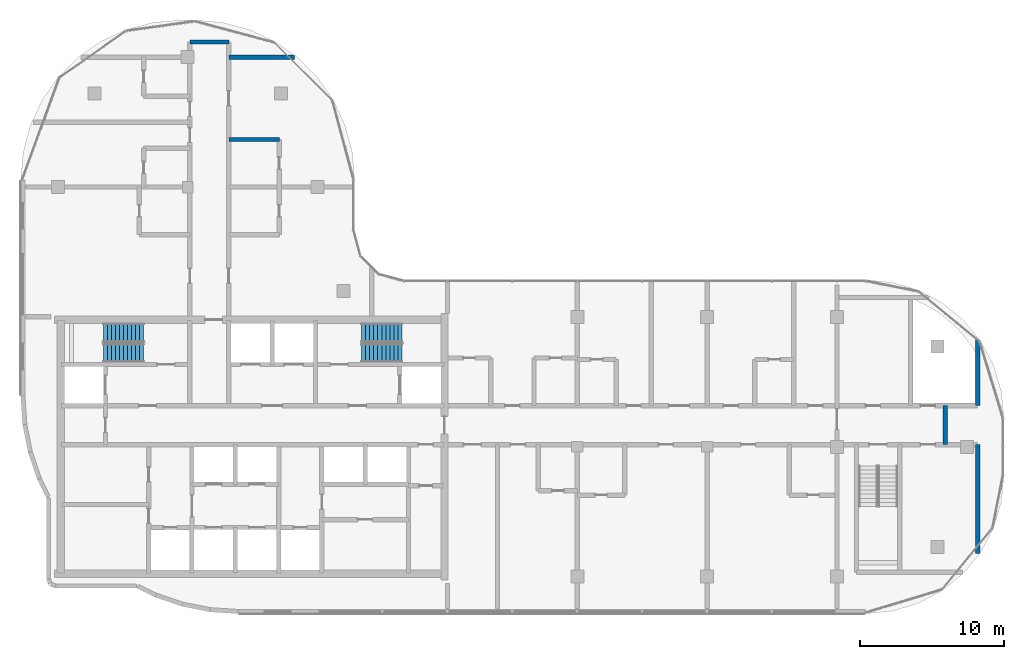
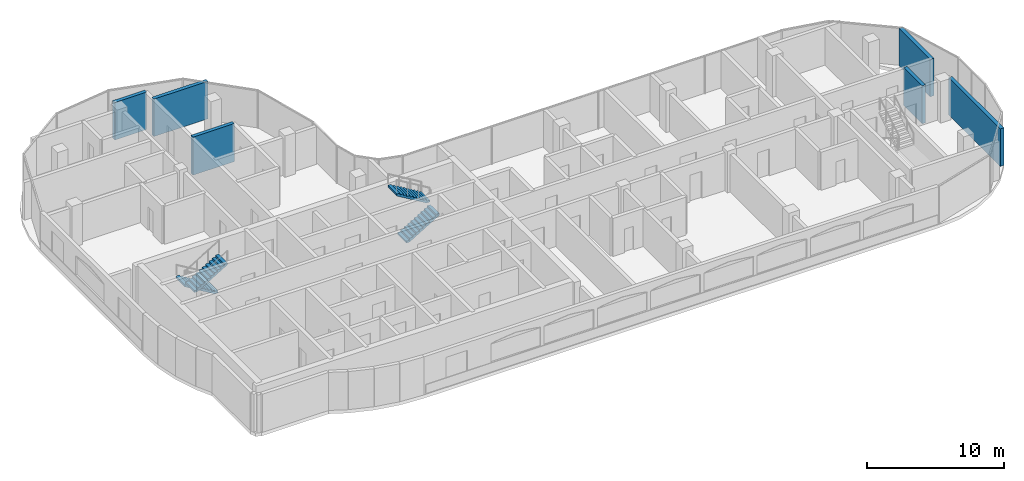
# One storey, part 13 of 18: 6 walls, 4 stair flights, 2 elements without a shape of their own.
"""IFC4 building model written with IfcOpenShell, lengths in metres."""

from ifc_helpers import new_model, si_unit, direction, frame, frame_2d, origin, place, context, subcontext, project, spatial, rectangle, extrude, triangles, source, transform, mapped, material, layer, layer_set, type_object, element, aggregate, save


model = new_model("IFC4")

# Units and contexts
model_context = context("Model", 3, precision=1e-05, world=origin(), true_north=direction((0.0, 1.0)))
body_context = subcontext(model_context, "Body", "Model", "MODEL_VIEW")
ifc_project = project(units=[si_unit("LENGTHUNIT", "METRE"), si_unit("AREAUNIT", "SQUARE_METRE"), si_unit("VOLUMEUNIT", "CUBIC_METRE"), si_unit("PLANEANGLEUNIT", "RADIAN"), si_unit("MASSUNIT", "GRAM", prefix="KILO")], contexts=[model_context])

# Site, building, storey
site_placement = place(None, origin())
site = spatial("IfcSite", under=ifc_project, at=site_placement, CompositionType="ELEMENT")
building_placement = place(site_placement, origin())
building = spatial("IfcBuilding", under=site, at=building_placement, Name="Ogive Portal Towers", CompositionType="ELEMENT")
storey_placement = place(building_placement, frame((0.0, 0.0, 240.199951171875)))
storey = spatial("IfcBuildingStorey", under=building, at=storey_placement, Name="L60", CompositionType="ELEMENT", Elevation=240.199951171875)

# Walls
ifc_material_1 = material(Name="Gypsum board partition on steel studs", Category="steel")
ifc_layer_1 = layer(ifc_material_1, 0.300048828125)
ifc_layer_set_1 = layer_set([ifc_layer_1], Name="WT-PART-300-EI 120")
wall_type_1 = type_object("IfcWallType", Name="WT-PART-300-EI 120", PredefinedType="PARTITIONING", material=ifc_layer_set_1)
wall_1_placement = place(storey_placement, frame((93.0, 30.64990234375, 0.0), z_axis=(0.0, 0.0, 1.0), x_axis=(0.0, 1.0, 0.0)))
element("IfcWall", 1, at=wall_1_placement, inside=storey, type_object=wall_type_1, Name="Wall L60:w052", PredefinedType="PARTITIONING", context=body_context, shape_type="SweptSolid", body=[
    extrude(rectangle(XDim=2.7001953125, YDim=0.300048828125, at=frame_2d((1.35009765625, 0.0))), origin(), (0.0, 0.0, 1.0), 3.400146484375),
])
ifc_layer_2 = layer(ifc_material_1, 0.300048828125)
ifc_layer_set_2 = layer_set([ifc_layer_2], Name="WT-PART-300-EI 60")
wall_type_2 = type_object("IfcWallType", Name="WT-PART-300-EI 60", PredefinedType="PARTITIONING", material=ifc_layer_set_2)
wall_2_placement = place(storey_placement, frame((43.35009765625, 51.800048828125, 0.0), z_axis=(0.0, 0.0, 1.0), x_axis=(1.0, 0.0, 0.0)))
element("IfcWall", 2, at=wall_2_placement, inside=storey, type_object=wall_type_2, Name="Wall L60:w020", PredefinedType="PARTITIONING", context=body_context, shape_type="SweptSolid", body=[
    extrude(rectangle(XDim=3.5, YDim=0.300048828125, at=frame_2d((1.75, 0.0))), origin(), (0.0, 0.0, 1.0), 3.400146484375),
])
wall_3_placement = place(storey_placement, frame((43.35009765625, 57.5, 0.0), z_axis=(0.0, 0.0, 1.0), x_axis=(1.0, 0.0, 0.0)))
element("IfcWall", 3, at=wall_3_placement, inside=storey, type_object=wall_type_2, Name="Wall L60:w024", PredefinedType="PARTITIONING", context=body_context, shape_type="SweptSolid", body=[
    extrude(rectangle(XDim=4.56201171875, YDim=0.300048828125, at=frame_2d((2.281005859375, 0.0))), origin(), (0.0, 0.0, 1.0), 3.35009765625),
])
wall_4_placement = place(storey_placement, frame((40.64990234375, 58.550048828125, 0.0), z_axis=(0.0, 0.0, 1.0), x_axis=(1.0, 0.0, 0.0)))
element("IfcWall", 4, at=wall_4_placement, inside=storey, type_object=wall_type_2, Name="Wall L60:w025", PredefinedType="PARTITIONING", context=body_context, shape_type="SweptSolid", body=[
    extrude(rectangle(XDim=2.7001953125, YDim=0.300048828125, at=frame_2d((1.35009765625, 0.0))), origin(), (0.0, 0.0, 1.0), 3.35009765625),
])
wall_5_placement = place(storey_placement, frame((95.25, 23.091064453125, 0.0), z_axis=(0.0, 0.0, 1.0), x_axis=(0.0, 1.0, 0.0)))
element("IfcWall", 5, at=wall_5_placement, inside=storey, type_object=wall_type_2, Name="Wall L60:w053", PredefinedType="PARTITIONING", context=body_context, shape_type="SweptSolid", body=[
    extrude(rectangle(XDim=7.558837890625, YDim=0.300048828125, at=frame_2d((3.779296875, 0.0))), origin(), (0.0, 0.0, 1.0), 3.35009765625),
])
wall_6_placement = place(storey_placement, frame((95.25, 33.35009765625, 0.0), z_axis=(0.0, 0.0, 1.0), x_axis=(0.0, 1.0, 0.0)))
element("IfcWall", 6, at=wall_6_placement, inside=storey, type_object=wall_type_2, Name="Wall L60:w054", PredefinedType="PARTITIONING", context=body_context, shape_type="SweptSolid", body=[
    extrude(rectangle(XDim=4.558837890625, YDim=0.300048828125, at=frame_2d((2.279296875, 0.0))), origin(), (0.0, 0.0, 1.0), 3.35009765625),
])

# Stair, stair flights
ifc_material_2 = material(Name="Concrete C40/50", Category="concrete")
stair_type = type_object("IfcStairType", Name="INT-STAIR", PredefinedType="HALF_TURN_STAIR", material=ifc_material_2)
stair_1_placement = place(storey_placement, origin())
stair_1 = element("IfcStair", 7, at=stair_1_placement, inside=storey, type_object=stair_type, Name="L60 Exit Stair ST-A1", PredefinedType="HALF_TURN_STAIR")
stair_flight_type = type_object("IfcStairFlightType", Name="INT-FLIGHT", PredefinedType="STRAIGHT", material=ifc_material_2)
shared_shape = source(origin(), body_context, "Body", "Tessellation", [
    triangles([(0.0, -0.650146484375, 0.0), (0.0, -0.376220703125, 0.0), (0.0, -0.192626953125, 0.0), (0.0, -0.081298828125, 0.0), (0.0, -0.024169921875, 0.0), (0.0, -0.003173828125, 0.0), (0.0, 0.0, 0.0), (0.0, 0.0029296875, 0.0), (0.0, 0.02392578125, 0.0), (0.0, 0.0810546875, 0.0), (0.0, 0.1923828125, 0.0), (0.0, 0.3759765625, 0.0), (0.0, 0.64990234375, 0.0), (0.0, -0.650146484375, 0.168212890625), (0.0, -0.376220703125, 0.168212890625), (0.0, -0.192626953125, 0.168212890625), (0.0, -0.081298828125, 0.168212890625), (0.0, -0.024169921875, 0.168212890625), (0.0, -0.003173828125, 0.168212890625), (0.0, 0.0, 0.168212890625), (0.0, 0.0029296875, 0.168212890625), (0.0, 0.02392578125, 0.168212890625), (0.0, 0.0810546875, 0.168212890625), (0.0, 0.1923828125, 0.168212890625), (0.0, 0.3759765625, 0.168212890625), (0.0, 0.64990234375, 0.168212890625), (0.280029296875, -0.650146484375, 0.168212890625), (0.280029296875, -0.376220703125, 0.168212890625), (0.280029296875, -0.192626953125, 0.168212890625), (0.280029296875, -0.081298828125, 0.168212890625), (0.280029296875, -0.024169921875, 0.168212890625), (0.280029296875, -0.003173828125, 0.168212890625), (0.280029296875, 0.0, 0.168212890625), (0.280029296875, 0.0029296875, 0.168212890625), (0.280029296875, 0.02392578125, 0.168212890625), (0.280029296875, 0.0810546875, 0.168212890625), (0.280029296875, 0.1923828125, 0.168212890625), (0.280029296875, 0.3759765625, 0.168212890625), (0.280029296875, 0.64990234375, 0.168212890625), (0.280029296875, -0.650146484375, 0.33642578125), (0.280029296875, -0.376220703125, 0.33642578125), (0.280029296875, -0.192626953125, 0.33642578125), (0.280029296875, -0.081298828125, 0.33642578125), (0.280029296875, -0.024169921875, 0.33642578125), (0.280029296875, -0.003173828125, 0.33642578125), (0.280029296875, 0.0, 0.33642578125), (0.280029296875, 0.0029296875, 0.33642578125), (0.280029296875, 0.02392578125, 0.33642578125), (0.280029296875, 0.0810546875, 0.33642578125), (0.280029296875, 0.1923828125, 0.33642578125), (0.280029296875, 0.3759765625, 0.33642578125), (0.280029296875, 0.64990234375, 0.33642578125), (0.56005859375, -0.650146484375, 0.33642578125), (0.56005859375, -0.376220703125, 0.33642578125), (0.56005859375, -0.192626953125, 0.33642578125), (0.56005859375, -0.081298828125, 0.33642578125), (0.56005859375, -0.024169921875, 0.33642578125), (0.56005859375, -0.003173828125, 0.33642578125), (0.56005859375, 0.0, 0.33642578125), (0.56005859375, 0.0029296875, 0.33642578125), (0.56005859375, 0.02392578125, 0.33642578125), (0.56005859375, 0.0810546875, 0.33642578125), (0.56005859375, 0.1923828125, 0.33642578125), (0.56005859375, 0.3759765625, 0.33642578125), (0.56005859375, 0.64990234375, 0.33642578125), (0.56005859375, -0.650146484375, 0.504638671875), (0.56005859375, -0.376220703125, 0.504638671875), (0.56005859375, -0.192626953125, 0.504638671875), (0.56005859375, -0.081298828125, 0.504638671875), (0.56005859375, -0.024169921875, 0.504638671875), (0.56005859375, -0.003173828125, 0.504638671875), (0.56005859375, 0.0, 0.504638671875), (0.56005859375, 0.0029296875, 0.504638671875), (0.56005859375, 0.02392578125, 0.504638671875), (0.56005859375, 0.0810546875, 0.504638671875), (0.56005859375, 0.1923828125, 0.504638671875), (0.56005859375, 0.3759765625, 0.504638671875), (0.56005859375, 0.64990234375, 0.504638671875), (0.840087890625, -0.650146484375, 0.504638671875), (0.840087890625, -0.376220703125, 0.504638671875), (0.840087890625, -0.192626953125, 0.504638671875), (0.840087890625, -0.081298828125, 0.504638671875), (0.840087890625, -0.024169921875, 0.504638671875), (0.840087890625, -0.003173828125, 0.504638671875), (0.840087890625, 0.0, 0.504638671875), (0.840087890625, 0.0029296875, 0.504638671875), (0.840087890625, 0.02392578125, 0.504638671875), (0.840087890625, 0.0810546875, 0.504638671875), (0.840087890625, 0.1923828125, 0.504638671875), (0.840087890625, 0.3759765625, 0.504638671875), (0.840087890625, 0.64990234375, 0.504638671875), (0.840087890625, -0.650146484375, 0.672607421875), (0.840087890625, -0.376220703125, 0.672607421875), (0.840087890625, -0.192626953125, 0.672607421875), (0.840087890625, -0.081298828125, 0.672607421875), (0.840087890625, -0.024169921875, 0.672607421875), (0.840087890625, -0.003173828125, 0.672607421875), (0.840087890625, 0.0, 0.672607421875), (0.840087890625, 0.0029296875, 0.672607421875), (0.840087890625, 0.02392578125, 0.672607421875), (0.840087890625, 0.0810546875, 0.672607421875), (0.840087890625, 0.1923828125, 0.672607421875), (0.840087890625, 0.3759765625, 0.672607421875), (0.840087890625, 0.64990234375, 0.672607421875), (1.1201171875, -0.650146484375, 0.672607421875), (1.1201171875, -0.376220703125, 0.672607421875), (1.1201171875, -0.192626953125, 0.672607421875), (1.1201171875, -0.081298828125, 0.672607421875), (1.1201171875, -0.024169921875, 0.672607421875), (1.1201171875, -0.003173828125, 0.672607421875), (1.1201171875, 0.0, 0.672607421875), (1.1201171875, 0.0029296875, 0.672607421875), (1.1201171875, 0.02392578125, 0.672607421875), (1.1201171875, 0.0810546875, 0.672607421875), (1.1201171875, 0.1923828125, 0.672607421875), (1.1201171875, 0.3759765625, 0.672607421875), (1.1201171875, 0.64990234375, 0.672607421875), (1.1201171875, -0.650146484375, 0.8408203125), (1.1201171875, -0.376220703125, 0.8408203125), (1.1201171875, -0.192626953125, 0.8408203125), (1.1201171875, -0.081298828125, 0.8408203125), (1.1201171875, -0.024169921875, 0.8408203125), (1.1201171875, -0.003173828125, 0.8408203125), (1.1201171875, 0.0, 0.8408203125), (1.1201171875, 0.0029296875, 0.8408203125), (1.1201171875, 0.02392578125, 0.8408203125), (1.1201171875, 0.0810546875, 0.8408203125), (1.1201171875, 0.1923828125, 0.8408203125), (1.1201171875, 0.3759765625, 0.8408203125), (1.1201171875, 0.64990234375, 0.8408203125), (1.39990234375, -0.650146484375, 0.8408203125), (1.39990234375, -0.376220703125, 0.8408203125), (1.39990234375, -0.192626953125, 0.8408203125), (1.39990234375, -0.081298828125, 0.8408203125), (1.39990234375, -0.024169921875, 0.8408203125), (1.39990234375, -0.003173828125, 0.8408203125), (1.39990234375, 0.0, 0.8408203125), (1.39990234375, 0.0029296875, 0.8408203125), (1.39990234375, 0.02392578125, 0.8408203125), (1.39990234375, 0.0810546875, 0.8408203125), (1.39990234375, 0.1923828125, 0.8408203125), (1.39990234375, 0.3759765625, 0.8408203125), (1.39990234375, 0.64990234375, 0.8408203125), (1.39990234375, -0.650146484375, 1.009033203125), (1.39990234375, -0.376220703125, 1.009033203125), (1.39990234375, -0.192626953125, 1.009033203125), (1.39990234375, -0.081298828125, 1.009033203125), (1.39990234375, -0.024169921875, 1.009033203125), (1.39990234375, -0.003173828125, 1.009033203125), (1.39990234375, 0.0, 1.009033203125), (1.39990234375, 0.0029296875, 1.009033203125), (1.39990234375, 0.02392578125, 1.009033203125), (1.39990234375, 0.0810546875, 1.009033203125), (1.39990234375, 0.1923828125, 1.009033203125), (1.39990234375, 0.3759765625, 1.009033203125), (1.39990234375, 0.64990234375, 1.009033203125), (1.679931640625, -0.650146484375, 1.009033203125), (1.679931640625, -0.376220703125, 1.009033203125), (1.679931640625, -0.192626953125, 1.009033203125), (1.679931640625, -0.081298828125, 1.009033203125), (1.679931640625, -0.024169921875, 1.009033203125), (1.679931640625, -0.003173828125, 1.009033203125), (1.679931640625, 0.0, 1.009033203125), (1.679931640625, 0.0029296875, 1.009033203125), (1.679931640625, 0.02392578125, 1.009033203125), (1.679931640625, 0.0810546875, 1.009033203125), (1.679931640625, 0.1923828125, 1.009033203125), (1.679931640625, 0.3759765625, 1.009033203125), (1.679931640625, 0.64990234375, 1.009033203125), (1.679931640625, -0.650146484375, 1.17724609375), (1.679931640625, -0.376220703125, 1.17724609375), (1.679931640625, -0.192626953125, 1.17724609375), (1.679931640625, -0.081298828125, 1.17724609375), (1.679931640625, -0.024169921875, 1.17724609375), (1.679931640625, -0.003173828125, 1.17724609375), (1.679931640625, 0.0, 1.17724609375), (1.679931640625, 0.0029296875, 1.17724609375), (1.679931640625, 0.02392578125, 1.17724609375), (1.679931640625, 0.0810546875, 1.17724609375), (1.679931640625, 0.1923828125, 1.17724609375), (1.679931640625, 0.3759765625, 1.17724609375), (1.679931640625, 0.64990234375, 1.17724609375), (1.9599609375, -0.650146484375, 1.17724609375), (1.9599609375, -0.376220703125, 1.17724609375), (1.9599609375, -0.192626953125, 1.17724609375), (1.9599609375, -0.081298828125, 1.17724609375), (1.9599609375, -0.024169921875, 1.17724609375), (1.9599609375, -0.003173828125, 1.17724609375), (1.9599609375, 0.0, 1.17724609375), (1.9599609375, 0.0029296875, 1.17724609375), (1.9599609375, 0.02392578125, 1.17724609375), (1.9599609375, 0.0810546875, 1.17724609375), (1.9599609375, 0.1923828125, 1.17724609375), (1.9599609375, 0.3759765625, 1.17724609375), (1.9599609375, 0.64990234375, 1.17724609375), (1.9599609375, -0.650146484375, 1.345458984375), (1.9599609375, -0.376220703125, 1.345458984375), (1.9599609375, -0.192626953125, 1.345458984375), (1.9599609375, -0.081298828125, 1.345458984375), (1.9599609375, -0.024169921875, 1.345458984375), (1.9599609375, -0.003173828125, 1.345458984375), (1.9599609375, 0.0, 1.345458984375), (1.9599609375, 0.0029296875, 1.345458984375), (1.9599609375, 0.02392578125, 1.345458984375), (1.9599609375, 0.0810546875, 1.345458984375), (1.9599609375, 0.1923828125, 1.345458984375), (1.9599609375, 0.3759765625, 1.345458984375), (1.9599609375, 0.64990234375, 1.345458984375), (2.239990234375, -0.650146484375, 1.345458984375), (2.239990234375, -0.376220703125, 1.345458984375), (2.239990234375, -0.192626953125, 1.345458984375), (2.239990234375, -0.081298828125, 1.345458984375), (2.239990234375, -0.024169921875, 1.345458984375), (2.239990234375, -0.003173828125, 1.345458984375), (2.239990234375, 0.0, 1.345458984375), (2.239990234375, 0.0029296875, 1.345458984375), (2.239990234375, 0.02392578125, 1.345458984375), (2.239990234375, 0.0810546875, 1.345458984375), (2.239990234375, 0.1923828125, 1.345458984375), (2.239990234375, 0.3759765625, 1.345458984375), (2.239990234375, 0.64990234375, 1.345458984375), (2.239990234375, -0.650146484375, 1.513671875), (2.239990234375, -0.376220703125, 1.513671875), (2.239990234375, -0.192626953125, 1.513671875), (2.239990234375, -0.081298828125, 1.513671875), (2.239990234375, -0.024169921875, 1.513671875), (2.239990234375, -0.003173828125, 1.513671875), (2.239990234375, 0.0, 1.513671875), (2.239990234375, 0.0029296875, 1.513671875), (2.239990234375, 0.02392578125, 1.513671875), (2.239990234375, 0.0810546875, 1.513671875), (2.239990234375, 0.1923828125, 1.513671875), (2.239990234375, 0.3759765625, 1.513671875), (2.239990234375, 0.64990234375, 1.513671875), (2.52001953125, -0.650146484375, 1.513671875), (2.52001953125, -0.376220703125, 1.513671875), (2.52001953125, -0.192626953125, 1.513671875), (2.52001953125, -0.081298828125, 1.513671875), (2.52001953125, -0.024169921875, 1.513671875), (2.52001953125, -0.003173828125, 1.513671875), (2.52001953125, 0.0, 1.513671875), (2.52001953125, 0.0029296875, 1.513671875), (2.52001953125, 0.02392578125, 1.513671875), (2.52001953125, 0.0810546875, 1.513671875), (2.52001953125, 0.1923828125, 1.513671875), (2.52001953125, 0.3759765625, 1.513671875), (2.52001953125, 0.64990234375, 1.513671875), (2.52001953125, -0.650146484375, 1.681884765625), (2.52001953125, -0.376220703125, 1.681884765625), (2.52001953125, -0.192626953125, 1.681884765625), (2.52001953125, -0.081298828125, 1.681884765625), (2.52001953125, -0.024169921875, 1.681884765625), (2.52001953125, -0.003173828125, 1.681884765625), (2.52001953125, 0.0, 1.681884765625), (2.52001953125, 0.0029296875, 1.681884765625), (2.52001953125, 0.02392578125, 1.681884765625), (2.52001953125, 0.0810546875, 1.681884765625), (2.52001953125, 0.1923828125, 1.681884765625), (2.52001953125, 0.3759765625, 1.681884765625), (2.52001953125, 0.64990234375, 1.681884765625), (2.800048828125, -0.650146484375, 1.681884765625), (2.800048828125, -0.376220703125, 1.681884765625), (2.800048828125, -0.192626953125, 1.681884765625), (2.800048828125, -0.081298828125, 1.681884765625), (2.800048828125, -0.024169921875, 1.681884765625), (2.800048828125, -0.003173828125, 1.681884765625), (2.800048828125, 0.0, 1.681884765625), (2.800048828125, 0.0029296875, 1.681884765625), (2.800048828125, 0.02392578125, 1.681884765625), (2.800048828125, 0.0810546875, 1.681884765625), (2.800048828125, 0.1923828125, 1.681884765625), (2.800048828125, 0.3759765625, 1.681884765625), (2.800048828125, 0.64990234375, 1.681884765625), (2.800048828125, -0.650146484375, 1.5068359375), (2.800048828125, -0.376220703125, 1.5068359375), (2.800048828125, -0.192626953125, 1.5068359375), (2.800048828125, -0.081298828125, 1.5068359375), (2.800048828125, -0.024169921875, 1.5068359375), (2.800048828125, -0.003173828125, 1.5068359375), (2.800048828125, 0.0, 1.5068359375), (2.800048828125, 0.0029296875, 1.5068359375), (2.800048828125, 0.02392578125, 1.5068359375), (2.800048828125, 0.0810546875, 1.5068359375), (2.800048828125, 0.1923828125, 1.5068359375), (2.800048828125, 0.3759765625, 1.5068359375), (2.800048828125, 0.64990234375, 1.5068359375), (0.291015625, -0.650146484375, 0.0), (0.291015625, -0.376220703125, 0.0), (0.291015625, -0.192626953125, 0.0), (0.291015625, -0.081298828125, 0.0), (0.291015625, -0.024169921875, 0.0), (0.291015625, -0.003173828125, 0.0), (0.291015625, 0.0, 0.0), (0.291015625, 0.0029296875, 0.0), (0.291015625, 0.02392578125, 0.0), (0.291015625, 0.0810546875, 0.0), (0.291015625, 0.1923828125, 0.0), (0.291015625, 0.3759765625, 0.0), (0.291015625, 0.64990234375, 0.0)], [[1, 14, 15], [1, 15, 2], [2, 15, 16], [2, 16, 3], [3, 16, 17], [3, 17, 4], [4, 17, 18], [4, 18, 5], [5, 18, 19], [5, 19, 6], [6, 19, 20], [6, 20, 7], [7, 20, 21], [7, 21, 8], [8, 21, 22], [8, 22, 9], [9, 22, 23], [9, 23, 10], [10, 23, 24], [10, 24, 11], [11, 24, 25], [11, 25, 12], [12, 25, 26], [12, 26, 13], [14, 27, 28], [14, 28, 15], [15, 28, 29], [15, 29, 16], [16, 29, 30], [16, 30, 17], [17, 30, 31], [17, 31, 18], [18, 31, 32], [18, 32, 19], [19, 32, 33], [19, 33, 20], [20, 33, 34], [20, 34, 21], [21, 34, 35], [21, 35, 22], [22, 35, 36], [22, 36, 23], [23, 36, 37], [23, 37, 24], [24, 37, 38], [24, 38, 25], [25, 38, 39], [25, 39, 26], [27, 40, 41], [27, 41, 28], [28, 41, 42], [28, 42, 29], [29, 42, 43], [29, 43, 30], [30, 43, 44], [30, 44, 31], [31, 44, 45], [31, 45, 32], [32, 45, 46], [32, 46, 33], [33, 46, 47], [33, 47, 34], [34, 47, 48], [34, 48, 35], [35, 48, 49], [35, 49, 36], [36, 49, 50], [36, 50, 37], [37, 50, 51], [37, 51, 38], [38, 51, 52], [38, 52, 39], [40, 53, 54], [40, 54, 41], [41, 54, 55], [41, 55, 42], [42, 55, 56], [42, 56, 43], [43, 56, 57], [43, 57, 44], [44, 57, 58], [44, 58, 45], [45, 58, 59], [45, 59, 46], [46, 59, 60], [46, 60, 47], [47, 60, 61], [47, 61, 48], [48, 61, 62], [48, 62, 49], [49, 62, 63], [49, 63, 50], [50, 63, 64], [50, 64, 51], [51, 64, 65], [51, 65, 52], [53, 66, 67], [53, 67, 54], [54, 67, 68], [54, 68, 55], [55, 68, 69], [55, 69, 56], [56, 69, 70], [56, 70, 57], [57, 70, 71], [57, 71, 58], [58, 71, 72], [58, 72, 59], [59, 72, 73], [59, 73, 60], [60, 73, 74], [60, 74, 61], [61, 74, 75], [61, 75, 62], [62, 75, 76], [62, 76, 63], [63, 76, 77], [63, 77, 64], [64, 77, 78], [64, 78, 65], [66, 79, 80], [66, 80, 67], [67, 80, 81], [67, 81, 68], [68, 81, 82], [68, 82, 69], [69, 82, 83], [69, 83, 70], [70, 83, 84], [70, 84, 71], [71, 84, 85], [71, 85, 72], [72, 85, 86], [72, 86, 73], [73, 86, 87], [73, 87, 74], [74, 87, 88], [74, 88, 75], [75, 88, 89], [75, 89, 76], [76, 89, 90], [76, 90, 77], [77, 90, 91], [77, 91, 78], [79, 92, 93], [79, 93, 80], [80, 93, 94], [80, 94, 81], [81, 94, 95], [81, 95, 82], [82, 95, 96], [82, 96, 83], [83, 96, 97], [83, 97, 84], [84, 97, 98], [84, 98, 85], [85, 98, 99], [85, 99, 86], [86, 99, 100], [86, 100, 87], [87, 100, 101], [87, 101, 88], [88, 101, 102], [88, 102, 89], [89, 102, 103], [89, 103, 90], [90, 103, 104], [90, 104, 91], [92, 105, 106], [92, 106, 93], [93, 106, 107], [93, 107, 94], [94, 107, 108], [94, 108, 95], [95, 108, 109], [95, 109, 96], [96, 109, 110], [96, 110, 97], [97, 110, 111], [97, 111, 98], [98, 111, 112], [98, 112, 99], [99, 112, 113], [99, 113, 100], [100, 113, 114], [100, 114, 101], [101, 114, 115], [101, 115, 102], [102, 115, 116], [102, 116, 103], [103, 116, 117], [103, 117, 104], [105, 118, 119], [105, 119, 106], [106, 119, 120], [106, 120, 107], [107, 120, 121], [107, 121, 108], [108, 121, 122], [108, 122, 109], [109, 122, 123], [109, 123, 110], [110, 123, 124], [110, 124, 111], [111, 124, 125], [111, 125, 112], [112, 125, 126], [112, 126, 113], [113, 126, 127], [113, 127, 114], [114, 127, 128], [114, 128, 115], [115, 128, 129], [115, 129, 116], [116, 129, 130], [116, 130, 117], [118, 131, 132], [118, 132, 119], [119, 132, 133], [119, 133, 120], [120, 133, 134], [120, 134, 121], [121, 134, 135], [121, 135, 122], [122, 135, 136], [122, 136, 123], [123, 136, 137], [123, 137, 124], [124, 137, 138], [124, 138, 125], [125, 138, 139], [125, 139, 126], [126, 139, 140], [126, 140, 127], [127, 140, 141], [127, 141, 128], [128, 141, 142], [128, 142, 129], [129, 142, 143], [129, 143, 130], [131, 144, 145], [131, 145, 132], [132, 145, 146], [132, 146, 133], [133, 146, 147], [133, 147, 134], [134, 147, 148], [134, 148, 135], [135, 148, 149], [135, 149, 136], [136, 149, 150], [136, 150, 137], [137, 150, 151], [137, 151, 138], [138, 151, 152], [138, 152, 139], [139, 152, 153], [139, 153, 140], [140, 153, 154], [140, 154, 141], [141, 154, 155], [141, 155, 142], [142, 155, 156], [142, 156, 143], [144, 157, 158], [144, 158, 145], [145, 158, 159], [145, 159, 146], [146, 159, 160], [146, 160, 147], [147, 160, 161], [147, 161, 148], [148, 161, 162], [148, 162, 149], [149, 162, 163], [149, 163, 150], [150, 163, 164], [150, 164, 151], [151, 164, 165], [151, 165, 152], [152, 165, 166], [152, 166, 153], [153, 166, 167], [153, 167, 154], [154, 167, 168], [154, 168, 155], [155, 168, 169], [155, 169, 156], [157, 170, 171], [157, 171, 158], [158, 171, 172], [158, 172, 159], [159, 172, 173], [159, 173, 160], [160, 173, 174], [160, 174, 161], [161, 174, 175], [161, 175, 162], [162, 175, 176], [162, 176, 163], [163, 176, 177], [163, 177, 164], [164, 177, 178], [164, 178, 165], [165, 178, 179], [165, 179, 166], [166, 179, 180], [166, 180, 167], [167, 180, 181], [167, 181, 168], [168, 181, 182], [168, 182, 169], [170, 183, 184], [170, 184, 171], [171, 184, 185], [171, 185, 172], [172, 185, 186], [172, 186, 173], [173, 186, 187], [173, 187, 174], [174, 187, 188], [174, 188, 175], [175, 188, 189], [175, 189, 176], [176, 189, 190], [176, 190, 177], [177, 190, 191], [177, 191, 178], [178, 191, 192], [178, 192, 179], [179, 192, 193], [179, 193, 180], [180, 193, 194], [180, 194, 181], [181, 194, 195], [181, 195, 182], [183, 196, 197], [183, 197, 184], [184, 197, 198], [184, 198, 185], [185, 198, 199], [185, 199, 186], [186, 199, 200], [186, 200, 187], [187, 200, 201], [187, 201, 188], [188, 201, 202], [188, 202, 189], [189, 202, 203], [189, 203, 190], [190, 203, 204], [190, 204, 191], [191, 204, 205], [191, 205, 192], [192, 205, 206], [192, 206, 193], [193, 206, 207], [193, 207, 194], [194, 207, 208], [194, 208, 195], [196, 209, 210], [196, 210, 197], [197, 210, 211], [197, 211, 198], [198, 211, 212], [198, 212, 199], [199, 212, 213], [199, 213, 200], [200, 213, 214], [200, 214, 201], [201, 214, 215], [201, 215, 202], [202, 215, 216], [202, 216, 203], [203, 216, 217], [203, 217, 204], [204, 217, 218], [204, 218, 205], [205, 218, 219], [205, 219, 206], [206, 219, 220], [206, 220, 207], [207, 220, 221], [207, 221, 208], [209, 222, 223], [209, 223, 210], [210, 223, 224], [210, 224, 211], [211, 224, 225], [211, 225, 212], [212, 225, 226], [212, 226, 213], [213, 226, 227], [213, 227, 214], [214, 227, 228], [214, 228, 215], [215, 228, 229], [215, 229, 216], [216, 229, 230], [216, 230, 217], [217, 230, 231], [217, 231, 218], [218, 231, 232], [218, 232, 219], [219, 232, 233], [219, 233, 220], [220, 233, 234], [220, 234, 221], [222, 235, 236], [222, 236, 223], [223, 236, 237], [223, 237, 224], [224, 237, 238], [224, 238, 225], [225, 238, 239], [225, 239, 226], [226, 239, 240], [226, 240, 227], [227, 240, 241], [227, 241, 228], [228, 241, 242], [228, 242, 229], [229, 242, 243], [229, 243, 230], [230, 243, 244], [230, 244, 231], [231, 244, 245], [231, 245, 232], [232, 245, 246], [232, 246, 233], [233, 246, 247], [233, 247, 234], [235, 248, 249], [235, 249, 236], [236, 249, 250], [236, 250, 237], [237, 250, 251], [237, 251, 238], [238, 251, 252], [238, 252, 239], [239, 252, 253], [239, 253, 240], [240, 253, 254], [240, 254, 241], [241, 254, 255], [241, 255, 242], [242, 255, 256], [242, 256, 243], [243, 256, 257], [243, 257, 244], [244, 257, 258], [244, 258, 245], [245, 258, 259], [245, 259, 246], [246, 259, 260], [246, 260, 247], [248, 261, 262], [248, 262, 249], [249, 262, 263], [249, 263, 250], [250, 263, 264], [250, 264, 251], [251, 264, 265], [251, 265, 252], [252, 265, 266], [252, 266, 253], [253, 266, 267], [253, 267, 254], [254, 267, 268], [254, 268, 255], [255, 268, 269], [255, 269, 256], [256, 269, 270], [256, 270, 257], [257, 270, 271], [257, 271, 258], [258, 271, 272], [258, 272, 259], [259, 272, 273], [259, 273, 260], [261, 274, 275], [261, 275, 262], [262, 275, 276], [262, 276, 263], [263, 276, 277], [263, 277, 264], [264, 277, 278], [264, 278, 265], [265, 278, 279], [265, 279, 266], [266, 279, 280], [266, 280, 267], [267, 280, 281], [267, 281, 268], [268, 281, 282], [268, 282, 269], [269, 282, 283], [269, 283, 270], [270, 283, 284], [270, 284, 271], [271, 284, 285], [271, 285, 272], [272, 285, 286], [272, 286, 273], [274, 287, 288], [274, 288, 275], [275, 288, 289], [275, 289, 276], [276, 289, 290], [276, 290, 277], [277, 290, 291], [277, 291, 278], [278, 291, 292], [278, 292, 279], [279, 292, 293], [279, 293, 280], [280, 293, 294], [280, 294, 281], [281, 294, 295], [281, 295, 282], [282, 295, 296], [282, 296, 283], [283, 296, 297], [283, 297, 284], [284, 297, 298], [284, 298, 285], [285, 298, 299], [285, 299, 286], [287, 1, 2], [287, 2, 288], [288, 2, 3], [288, 3, 289], [289, 3, 4], [289, 4, 290], [290, 4, 5], [290, 5, 291], [291, 5, 6], [291, 6, 292], [292, 6, 7], [292, 7, 293], [293, 7, 8], [293, 8, 294], [294, 8, 9], [294, 9, 295], [295, 9, 10], [295, 10, 296], [296, 10, 11], [296, 11, 297], [297, 11, 12], [297, 12, 298], [298, 12, 13], [298, 13, 299], [1, 287, 274], [13, 286, 299], [274, 261, 248], [286, 260, 273], [274, 248, 235], [286, 247, 260], [274, 235, 222], [286, 234, 247], [274, 222, 209], [286, 221, 234], [209, 196, 183], [221, 195, 208], [274, 209, 183], [286, 195, 221], [183, 170, 157], [195, 169, 182], [274, 183, 157], [286, 169, 195], [157, 144, 131], [169, 143, 156], [274, 157, 131], [286, 143, 169], [131, 118, 105], [143, 117, 130], [274, 131, 105], [286, 117, 143], [1, 274, 105], [13, 117, 286], [105, 92, 79], [117, 91, 104], [79, 66, 53], [91, 65, 78], [105, 79, 53], [117, 65, 91], [53, 40, 27], [65, 39, 52], [105, 53, 27], [117, 39, 65], [1, 105, 27], [13, 39, 117], [27, 14, 1], [39, 13, 26]], closed=True),
])
stair_flight_1_placement = place(storey_placement, frame((37.449951171875, 38.39990234375, 0.0), z_axis=(0.0, 0.0, 1.0), x_axis=(-1.0, 0.0, 0.0)))
stair_flight_1 = element("IfcStairFlight", 8, at=stair_flight_1_placement, type_object=stair_flight_type, Name="ST-A1 flight 1", NumberOfRisers=11, NumberOfTreads=10, PredefinedType="STRAIGHT", RiserHeight=0.168181818, TreadLength=0.28, context=body_context, shape_type="MappedRepresentation", body=[
    mapped(shared_shape, transform((0.0, 0.0, 0.0), scale=1.0)),
])
stair_flight_2_placement = place(storey_placement, frame((34.64990234375, 37.0, 1.85009765625), z_axis=(0.0, 0.0, 1.0), x_axis=(1.0, 0.0, 0.0)))
stair_flight_2 = element("IfcStairFlight", 9, at=stair_flight_2_placement, type_object=stair_flight_type, Name="ST-A1 flight 2", NumberOfRisers=11, NumberOfTreads=10, PredefinedType="STRAIGHT", RiserHeight=0.168181818, TreadLength=0.28, context=body_context, shape_type="MappedRepresentation", body=[
    mapped(shared_shape, transform((0.0, 0.0, 0.0), scale=1.0)),
])
aggregate(stair_1, [stair_flight_1, stair_flight_2])

stair_2_placement = place(storey_placement, origin())
stair_2 = element("IfcStair", 10, at=stair_2_placement, inside=storey, type_object=stair_type, Name="L60 Exit Stair ST-A2", PredefinedType="HALF_TURN_STAIR")
stair_flight_3_placement = place(storey_placement, frame((52.550048828125, 37.0, 0.0), z_axis=(0.0, 0.0, 1.0), x_axis=(1.0, 0.0, 0.0)))
stair_flight_3 = element("IfcStairFlight", 11, at=stair_flight_3_placement, type_object=stair_flight_type, Name="ST-A2 flight 1", NumberOfRisers=11, NumberOfTreads=10, PredefinedType="STRAIGHT", RiserHeight=0.168181818, TreadLength=0.28, context=body_context, shape_type="MappedRepresentation", body=[
    mapped(shared_shape, transform((0.0, 0.0, 0.0), scale=1.0)),
])
stair_flight_4_placement = place(storey_placement, frame((55.35009765625, 38.39990234375, 1.85009765625), z_axis=(0.0, 0.0, 1.0), x_axis=(-1.0, 0.0, 0.0)))
stair_flight_4 = element("IfcStairFlight", 12, at=stair_flight_4_placement, type_object=stair_flight_type, Name="ST-A2 flight 2", NumberOfRisers=11, NumberOfTreads=10, PredefinedType="STRAIGHT", RiserHeight=0.168181818, TreadLength=0.28, context=body_context, shape_type="MappedRepresentation", body=[
    mapped(shared_shape, transform((0.0, 0.0, 0.0), scale=1.0)),
])
aggregate(stair_2, [stair_flight_3, stair_flight_4])

save(model, "model.ifc")
